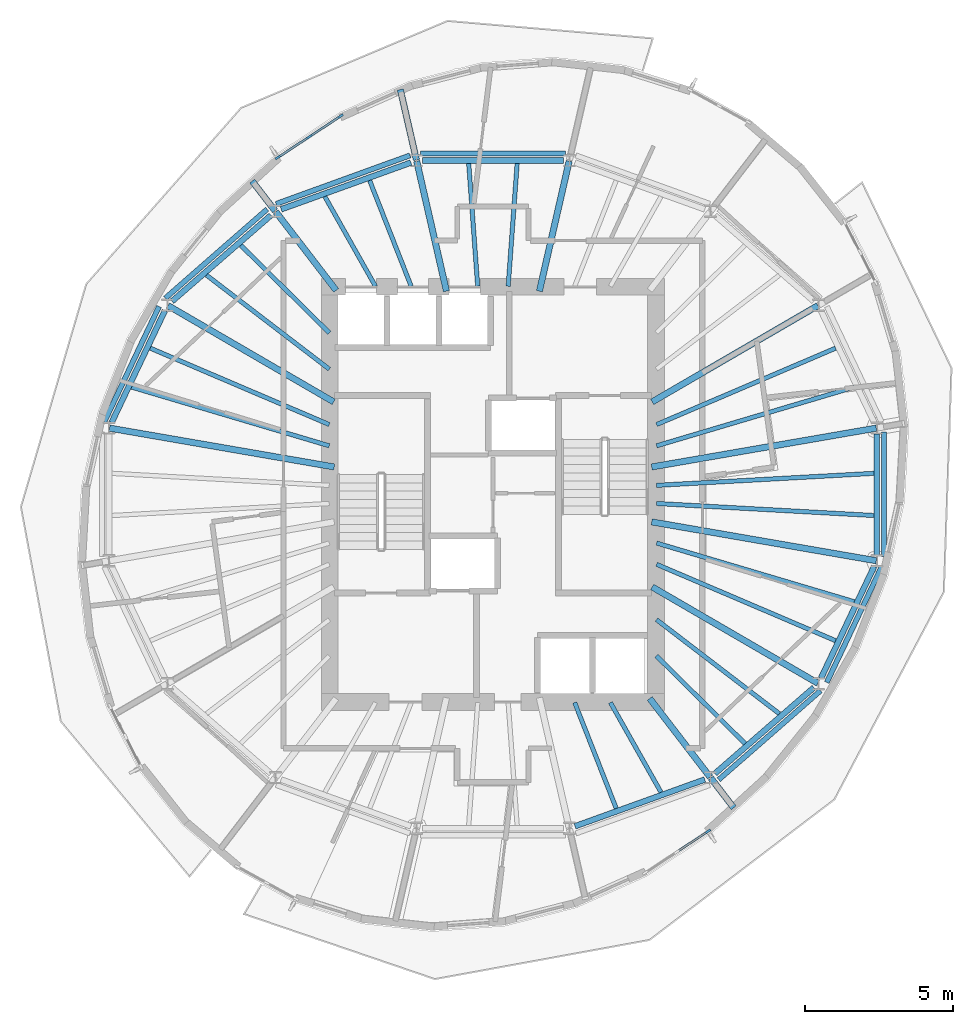
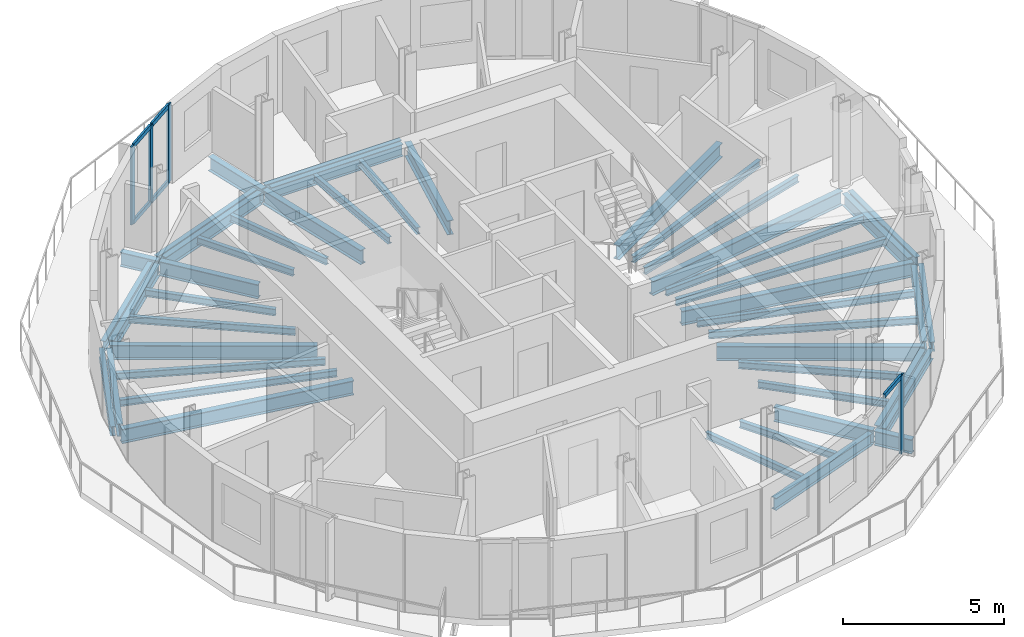
# One storey, part 2 of 11: 46 beams, 9 members, 2 elements without a shape of their own.
"""IFC4 building model written with IfcOpenShell, lengths in metres."""

from ifc_helpers import new_model, si_unit, direction, frame, origin, origin_2d, place, context, subcontext, project, spatial, rectangle, i_section, extrude, material, material_profile, profile_set, type_object, element, aggregate, save


model = new_model("IFC4")

# Units and contexts
model_context = context("Model", 3, precision=1e-05, world=origin(), true_north=direction((0.0, 1.0)))
body_context = subcontext(model_context, "Body", "Model", "MODEL_VIEW")
ifc_project = project(units=[si_unit("LENGTHUNIT", "METRE"), si_unit("AREAUNIT", "SQUARE_METRE"), si_unit("VOLUMEUNIT", "CUBIC_METRE"), si_unit("PLANEANGLEUNIT", "RADIAN"), si_unit("MASSUNIT", "GRAM", prefix="KILO")], contexts=[model_context])

# Site, building, storey
site_placement = place(None, origin())
site = spatial("IfcSite", under=ifc_project, at=site_placement, CompositionType="ELEMENT")
building_placement = place(site_placement, origin())
building = spatial("IfcBuilding", under=site, at=building_placement, Name="Veldorim Arch Residences", CompositionType="ELEMENT")
storey_placement = place(building_placement, frame((0.0, 0.0, 223.840087890625)))
storey = spatial("IfcBuildingStorey", under=building, at=storey_placement, Name="L67", CompositionType="ELEMENT", Elevation=223.840087890625)

# Beams
ifc_material_1 = material(Name="Steel S355", Category="steel")
ifc_material_profile_1 = material_profile(ifc_material_1, i_section(OverallWidth=0.2119140625, OverallDepth=0.54443359375, WebThickness=0.0126953125, FlangeThickness=0.021240234375, at=origin_2d()), Name="UB533x210x122")
ifc_profile_set_1 = profile_set([ifc_material_profile_1], Name="Steel S355")
beam_type_1 = type_object("IfcBeamType", Name="Structural Steel Beam UB533x210x122", PredefinedType="BEAM", material=ifc_profile_set_1)
beam_1_placement = place(storey_placement, frame((37.352294921875, 24.92578125, -0.512451171875), z_axis=(0.985364974081, 0.170457818401, 0.0), x_axis=(-0.170457818401, 0.985364974081, 0.0)))
element("IfcBeam", 1, at=beam_1_placement, inside=storey, type_object=beam_type_1, Name="L67 radial floor girder 01", PredefinedType="BEAM", context=body_context, shape_type="SweptSolid", body=[
    extrude(i_section(OverallWidth=0.2119140625, OverallDepth=0.54443359375, WebThickness=0.0126953125, FlangeThickness=0.021240234375, at=origin_2d()), origin(), (0.0, 0.0, 1.0), 7.68701171875),
])
beam_2_placement = place(storey_placement, frame((37.370361328125, 27.12060546875, -0.512451171875), z_axis=(0.864595736304, 0.502468121142, 0.0), x_axis=(-0.502468121142, 0.864595736304, 0.0)))
element("IfcBeam", 2, at=beam_2_placement, inside=storey, type_object=beam_type_1, Name="L67 radial floor girder 02", PredefinedType="BEAM", context=body_context, shape_type="SweptSolid", body=[
    extrude(i_section(OverallWidth=0.2119140625, OverallDepth=0.54443359375, WebThickness=0.0126953125, FlangeThickness=0.021240234375, at=origin_2d()), origin(), (0.0, 0.0, 1.0), 6.462646484375),
])
for number, where, z_axis, x_axis, name in (
    (3, (33.567626953125, 30.853759765625, -0.512451171875), (0.222952976993, 0.97482920045, 0.0), (-0.97482920045, 0.222952976993, 0.0), "L67 radial floor girder 04"),
    (4, (30.432373046875, 30.853759765625, -0.512451171875), (-0.222952976993, 0.97482920045, 0.0), (-0.97482920045, -0.222952976993, 0.0), "L67 radial floor girder 05"),
):
    element("IfcBeam", number, at=place(storey_placement, frame(where, z_axis=z_axis, x_axis=x_axis)), inside=storey, type_object=beam_type_1, Name=name, PredefinedType="BEAM", context=body_context, shape_type="SweptSolid", body=[
        extrude(i_section(OverallWidth=0.2119140625, OverallDepth=0.54443359375, WebThickness=0.0126953125, FlangeThickness=0.021240234375, at=origin_2d()), origin(), (0.0, 0.0, 1.0), 4.49951171875),
    ])
beam_3_placement = place(storey_placement, frame((29.42041015625, 35.27880859375, -0.512451171875), z_axis=(-0.222985349642, 0.974821795943, 0.0), x_axis=(-0.974821795943, -0.222985349642, 0.0)))
element("IfcBeam", 5, at=beam_3_placement, inside=storey, type_object=beam_type_1, Name="L67 radial edge cantilever girder 05", PredefinedType="BEAM", context=body_context, shape_type="SweptSolid", body=[
    extrude(i_section(OverallWidth=0.2119140625, OverallDepth=0.54443359375, WebThickness=0.0126953125, FlangeThickness=0.021240234375, at=origin_2d()), origin(), (0.0, 0.0, 1.0), 2.43603515625),
])
beam_4_placement = place(storey_placement, frame((26.71337890625, 30.881103515625, -0.512451171875), z_axis=(-0.609258442308, 0.792971721108, 0.0), x_axis=(-0.792971721108, -0.609258442308, 0.0)))
element("IfcBeam", 6, at=beam_4_placement, inside=storey, type_object=beam_type_1, Name="L67 radial floor girder 06", PredefinedType="BEAM", context=body_context, shape_type="SweptSolid", body=[
    extrude(i_section(OverallWidth=0.2119140625, OverallDepth=0.54443359375, WebThickness=0.0126953125, FlangeThickness=0.021240234375, at=origin_2d()), origin(), (0.0, 0.0, 1.0), 3.339599609375),
])
beam_5_placement = place(storey_placement, frame((24.654296875, 33.561279296875, -0.512451171875), z_axis=(-0.609348059257, 0.792902858287, 0.0), x_axis=(-0.792902858287, -0.609348059257, 0.0)))
element("IfcBeam", 7, at=beam_5_placement, inside=storey, type_object=beam_type_1, Name="L67 radial edge cantilever girder 06", PredefinedType="BEAM", context=body_context, shape_type="SweptSolid", body=[
    extrude(i_section(OverallWidth=0.2119140625, OverallDepth=0.54443359375, WebThickness=0.0126953125, FlangeThickness=0.021240234375, at=origin_2d()), origin(), (0.0, 0.0, 1.0), 1.268798828125),
])
beam_6_placement = place(storey_placement, frame((26.629638671875, 27.12060546875, -0.512451171875), z_axis=(-0.864595736304, 0.502468121142, 0.0), x_axis=(-0.502468121142, -0.864595736304, 0.0)))
element("IfcBeam", 8, at=beam_6_placement, inside=storey, type_object=beam_type_1, Name="L67 radial floor girder 07", PredefinedType="BEAM", context=body_context, shape_type="SweptSolid", body=[
    extrude(i_section(OverallWidth=0.2119140625, OverallDepth=0.54443359375, WebThickness=0.0126953125, FlangeThickness=0.021240234375, at=origin_2d()), origin(), (0.0, 0.0, 1.0), 6.462646484375),
])
beam_7_placement = place(storey_placement, frame((26.647705078125, 24.92578125, -0.512451171875), z_axis=(-0.985364974081, 0.170457818401, 0.0), x_axis=(-0.170457818401, -0.985364974081, 0.0)))
element("IfcBeam", 9, at=beam_7_placement, inside=storey, type_object=beam_type_1, Name="L67 radial floor girder 08", PredefinedType="BEAM", context=body_context, shape_type="SweptSolid", body=[
    extrude(i_section(OverallWidth=0.2119140625, OverallDepth=0.54443359375, WebThickness=0.0126953125, FlangeThickness=0.021240234375, at=origin_2d()), origin(), (0.0, 0.0, 1.0), 7.68701171875),
])
beam_8_placement = place(storey_placement, frame((37.28662109375, 17.118896484375, -0.512451171875), z_axis=(0.609258442308, -0.792971721108, 0.0), x_axis=(0.792971721108, 0.609258442308, 0.0)))
element("IfcBeam", 10, at=beam_8_placement, inside=storey, type_object=beam_type_1, Name="L67 radial floor girder 14", PredefinedType="BEAM", context=body_context, shape_type="SweptSolid", body=[
    extrude(i_section(OverallWidth=0.2119140625, OverallDepth=0.54443359375, WebThickness=0.0126953125, FlangeThickness=0.021240234375, at=origin_2d()), origin(), (0.0, 0.0, 1.0), 3.339599609375),
])
beam_9_placement = place(storey_placement, frame((39.345703125, 14.438720703125, -0.512451171875), z_axis=(0.609348059257, -0.792902858287, 0.0), x_axis=(0.792902858287, 0.609348059257, 0.0)))
element("IfcBeam", 11, at=beam_9_placement, inside=storey, type_object=beam_type_1, Name="L67 radial edge cantilever girder 14", PredefinedType="BEAM", context=body_context, shape_type="SweptSolid", body=[
    extrude(i_section(OverallWidth=0.2119140625, OverallDepth=0.54443359375, WebThickness=0.0126953125, FlangeThickness=0.021240234375, at=origin_2d()), origin(), (0.0, 0.0, 1.0), 1.268798828125),
])
beam_10_placement = place(storey_placement, frame((37.370361328125, 20.87939453125, -0.512451171875), z_axis=(0.864595736304, -0.502468121142, 0.0), x_axis=(0.502468121142, 0.864595736304, 0.0)))
element("IfcBeam", 12, at=beam_10_placement, inside=storey, type_object=beam_type_1, Name="L67 radial floor girder 15", PredefinedType="BEAM", context=body_context, shape_type="SweptSolid", body=[
    extrude(i_section(OverallWidth=0.2119140625, OverallDepth=0.54443359375, WebThickness=0.0126953125, FlangeThickness=0.021240234375, at=origin_2d()), origin(), (0.0, 0.0, 1.0), 6.462646484375),
])
beam_11_placement = place(storey_placement, frame((37.352294921875, 23.07421875, -0.512451171875), z_axis=(0.985364974081, -0.170457818401, 0.0), x_axis=(0.170457818401, 0.985364974081, 0.0)))
element("IfcBeam", 13, at=beam_11_placement, inside=storey, type_object=beam_type_1, Name="L67 radial floor girder 16", PredefinedType="BEAM", context=body_context, shape_type="SweptSolid", body=[
    extrude(i_section(OverallWidth=0.2119140625, OverallDepth=0.54443359375, WebThickness=0.0126953125, FlangeThickness=0.021240234375, at=origin_2d()), origin(), (0.0, 0.0, 1.0), 7.68701171875),
])
ifc_material_2 = material(Name="Steel S355", Category="steel")
ifc_material_profile_2 = material_profile(ifc_material_2, i_section(OverallWidth=0.146484375, OverallDepth=0.256103515625, WebThickness=0.00634765625, FlangeThickness=0.010986328125, at=origin_2d()), Name="UB254x146x37")
ifc_profile_set_2 = profile_set([ifc_material_profile_2], Name="Steel S355")
beam_type_2 = type_object("IfcBeamType", Name="Structural Steel Joist UB254x146x37", PredefinedType="JOIST", material=ifc_profile_set_2)
beam_12_placement = place(storey_placement, frame((37.519287109375, 25.639404296875, -0.3681640625), z_axis=(0.958594432792, 0.284774846889, 0.0), x_axis=(-0.284774846889, 0.958594432792, 0.0)))
element("IfcBeam", 14, at=beam_12_placement, inside=storey, type_object=beam_type_2, Name="L67 secondary radial floor joist 01-1", PredefinedType="JOIST", context=body_context, shape_type="SweptSolid", body=[
    extrude(i_section(OverallWidth=0.146484375, OverallDepth=0.256103515625, WebThickness=0.00634765625, FlangeThickness=0.010986328125, at=origin_2d()), origin(), (0.0, 0.0, 1.0), 6.949462890625),
])
beam_13_placement = place(storey_placement, frame((37.518310546875, 26.355712890625, -0.3681640625), z_axis=(0.919725161652, 0.392562895629, 0.0), x_axis=(-0.392562895629, 0.919725161652, 0.0)))
element("IfcBeam", 15, at=beam_13_placement, inside=storey, type_object=beam_type_2, Name="L67 secondary radial floor joist 01-2", PredefinedType="JOIST", context=body_context, shape_type="SweptSolid", body=[
    extrude(i_section(OverallWidth=0.146484375, OverallDepth=0.256103515625, WebThickness=0.00634765625, FlangeThickness=0.010986328125, at=origin_2d()), origin(), (0.0, 0.0, 1.0), 6.5625),
])
for number, where, z_axis, x_axis, name in (
    (16, (32.513916015625, 31.02001953125, -0.3681640625), (0.072985625899, 0.997332992742, 0.0), (-0.997332992742, 0.072985625899, 0.0), "L67 secondary radial floor joist 04-1"),
    (17, (31.486083984375, 31.02001953125, -0.3681640625), (-0.072985625899, 0.997332992742, 0.0), (-0.997332992742, -0.072985625899, 0.0), "L67 secondary radial floor joist 04-2"),
):
    element("IfcBeam", number, at=place(storey_placement, frame(where, z_axis=z_axis, x_axis=x_axis)), inside=storey, type_object=beam_type_2, Name=name, PredefinedType="JOIST", context=body_context, shape_type="SweptSolid", body=[
        extrude(i_section(OverallWidth=0.146484375, OverallDepth=0.256103515625, WebThickness=0.00634765625, FlangeThickness=0.010986328125, at=origin_2d()), origin(), (0.0, 0.0, 1.0), 4.151123046875),
    ])
beam_14_placement = place(storey_placement, frame((29.24365234375, 31.0185546875, -0.3681640625), z_axis=(-0.365581383042, 0.930779379001, 0.0), x_axis=(-0.930779379001, -0.365581383042, 0.0)))
element("IfcBeam", 18, at=beam_14_placement, inside=storey, type_object=beam_type_2, Name="L67 secondary radial floor joist 05-1", PredefinedType="JOIST", context=body_context, shape_type="SweptSolid", body=[
    extrude(i_section(OverallWidth=0.146484375, OverallDepth=0.256103515625, WebThickness=0.00634765625, FlangeThickness=0.010986328125, at=origin_2d()), origin(), (0.0, 0.0, 1.0), 3.83056640625),
])
beam_15_placement = place(storey_placement, frame((28.039794921875, 31.017333984375, -0.3681640625), z_axis=(-0.491452469585, 0.870904397818, 0.0), x_axis=(-0.870904397818, -0.491452469585, 0.0)))
element("IfcBeam", 19, at=beam_15_placement, inside=storey, type_object=beam_type_2, Name="L67 secondary radial floor joist 05-2", PredefinedType="JOIST", context=body_context, shape_type="SweptSolid", body=[
    extrude(i_section(OverallWidth=0.146484375, OverallDepth=0.256103515625, WebThickness=0.00634765625, FlangeThickness=0.010986328125, at=origin_2d()), origin(), (0.0, 0.0, 1.0), 3.472412109375),
])
beam_16_placement = place(storey_placement, frame((26.48583984375, 29.44775390625, -0.3681640625), z_axis=(-0.711396725432, 0.702790650937, 0.0), x_axis=(-0.702790650937, -0.711396725432, 0.0)))
element("IfcBeam", 20, at=beam_16_placement, inside=storey, type_object=beam_type_2, Name="L67 secondary radial floor joist 06-1", PredefinedType="JOIST", context=body_context, shape_type="SweptSolid", body=[
    extrude(i_section(OverallWidth=0.146484375, OverallDepth=0.256103515625, WebThickness=0.00634765625, FlangeThickness=0.010986328125, at=origin_2d()), origin(), (0.0, 0.0, 1.0), 4.198486328125),
])
beam_17_placement = place(storey_placement, frame((26.484130859375, 28.222900390625, -0.3681640625), z_axis=(-0.794013672216, 0.607899899929, 0.0), x_axis=(-0.607899899929, -0.794013672216, 0.0)))
element("IfcBeam", 21, at=beam_17_placement, inside=storey, type_object=beam_type_2, Name="L67 secondary radial floor joist 06-2", PredefinedType="JOIST", context=body_context, shape_type="SweptSolid", body=[
    extrude(i_section(OverallWidth=0.146484375, OverallDepth=0.256103515625, WebThickness=0.00634765625, FlangeThickness=0.010986328125, at=origin_2d()), origin(), (0.0, 0.0, 1.0), 5.217041015625),
])
beam_18_placement = place(storey_placement, frame((26.481689453125, 26.355712890625, -0.3681640625), z_axis=(-0.919725161652, 0.392562895629, 0.0), x_axis=(-0.392562895629, -0.919725161652, 0.0)))
element("IfcBeam", 22, at=beam_18_placement, inside=storey, type_object=beam_type_2, Name="L67 secondary radial floor joist 07-1", PredefinedType="JOIST", context=body_context, shape_type="SweptSolid", body=[
    extrude(i_section(OverallWidth=0.146484375, OverallDepth=0.256103515625, WebThickness=0.00634765625, FlangeThickness=0.010986328125, at=origin_2d()), origin(), (0.0, 0.0, 1.0), 6.5625),
])
beam_19_placement = place(storey_placement, frame((26.480712890625, 25.639404296875, -0.3681640625), z_axis=(-0.958594432792, 0.284774846889, 0.0), x_axis=(-0.284774846889, -0.958594432792, 0.0)))
element("IfcBeam", 23, at=beam_19_placement, inside=storey, type_object=beam_type_2, Name="L67 secondary radial floor joist 07-2", PredefinedType="JOIST", context=body_context, shape_type="SweptSolid", body=[
    extrude(i_section(OverallWidth=0.146484375, OverallDepth=0.256103515625, WebThickness=0.00634765625, FlangeThickness=0.010986328125, at=origin_2d()), origin(), (0.0, 0.0, 1.0), 6.949462890625),
])
beam_20_placement = place(storey_placement, frame((34.75634765625, 16.9814453125, -0.3681640625), z_axis=(0.365581383042, -0.930779379001, 0.0), x_axis=(0.930779379001, 0.365581383042, 0.0)))
element("IfcBeam", 24, at=beam_20_placement, inside=storey, type_object=beam_type_2, Name="L67 secondary radial floor joist 13-1", PredefinedType="JOIST", context=body_context, shape_type="SweptSolid", body=[
    extrude(i_section(OverallWidth=0.146484375, OverallDepth=0.256103515625, WebThickness=0.00634765625, FlangeThickness=0.010986328125, at=origin_2d()), origin(), (0.0, 0.0, 1.0), 3.83056640625),
])
beam_21_placement = place(storey_placement, frame((35.960205078125, 16.982666015625, -0.3681640625), z_axis=(0.491452469585, -0.870904397818, 0.0), x_axis=(0.870904397818, 0.491452469585, 0.0)))
element("IfcBeam", 25, at=beam_21_placement, inside=storey, type_object=beam_type_2, Name="L67 secondary radial floor joist 13-2", PredefinedType="JOIST", context=body_context, shape_type="SweptSolid", body=[
    extrude(i_section(OverallWidth=0.146484375, OverallDepth=0.256103515625, WebThickness=0.00634765625, FlangeThickness=0.010986328125, at=origin_2d()), origin(), (0.0, 0.0, 1.0), 3.472412109375),
])
beam_22_placement = place(storey_placement, frame((37.51416015625, 18.55224609375, -0.3681640625), z_axis=(0.711396725432, -0.702790650937, 0.0), x_axis=(0.702790650937, 0.711396725432, 0.0)))
element("IfcBeam", 26, at=beam_22_placement, inside=storey, type_object=beam_type_2, Name="L67 secondary radial floor joist 14-1", PredefinedType="JOIST", context=body_context, shape_type="SweptSolid", body=[
    extrude(i_section(OverallWidth=0.146484375, OverallDepth=0.256103515625, WebThickness=0.00634765625, FlangeThickness=0.010986328125, at=origin_2d()), origin(), (0.0, 0.0, 1.0), 4.198486328125),
])
beam_23_placement = place(storey_placement, frame((37.515869140625, 19.777099609375, -0.3681640625), z_axis=(0.794013672216, -0.607899899929, 0.0), x_axis=(0.607899899929, 0.794013672216, 0.0)))
element("IfcBeam", 27, at=beam_23_placement, inside=storey, type_object=beam_type_2, Name="L67 secondary radial floor joist 14-2", PredefinedType="JOIST", context=body_context, shape_type="SweptSolid", body=[
    extrude(i_section(OverallWidth=0.146484375, OverallDepth=0.256103515625, WebThickness=0.00634765625, FlangeThickness=0.010986328125, at=origin_2d()), origin(), (0.0, 0.0, 1.0), 5.217041015625),
])
beam_24_placement = place(storey_placement, frame((37.518310546875, 21.644287109375, -0.3681640625), z_axis=(0.919725161652, -0.392562895629, 0.0), x_axis=(0.392562895629, 0.919725161652, 0.0)))
element("IfcBeam", 28, at=beam_24_placement, inside=storey, type_object=beam_type_2, Name="L67 secondary radial floor joist 15-1", PredefinedType="JOIST", context=body_context, shape_type="SweptSolid", body=[
    extrude(i_section(OverallWidth=0.146484375, OverallDepth=0.256103515625, WebThickness=0.00634765625, FlangeThickness=0.010986328125, at=origin_2d()), origin(), (0.0, 0.0, 1.0), 6.5625),
])
beam_25_placement = place(storey_placement, frame((37.519287109375, 22.360595703125, -0.3681640625), z_axis=(0.958594432792, -0.284774846889, 0.0), x_axis=(0.284774846889, 0.958594432792, 0.0)))
element("IfcBeam", 29, at=beam_25_placement, inside=storey, type_object=beam_type_2, Name="L67 secondary radial floor joist 15-2", PredefinedType="JOIST", context=body_context, shape_type="SweptSolid", body=[
    extrude(i_section(OverallWidth=0.146484375, OverallDepth=0.256103515625, WebThickness=0.00634765625, FlangeThickness=0.010986328125, at=origin_2d()), origin(), (0.0, 0.0, 1.0), 6.949462890625),
])
for number, where, z_axis, x_axis, name in (
    (30, (37.52001953125, 23.6943359375, -0.3681640625), (0.998472000884, -0.055259962464, 0.0), (0.055259962464, 0.998472000884, 0.0), "L67 secondary radial floor joist 16-1"),
    (31, (37.52001953125, 24.3056640625, -0.3681640625), (0.998472000884, 0.055259962464, 0.0), (-0.055259962464, 0.998472000884, 0.0), "L67 secondary radial floor joist 16-2"),
):
    element("IfcBeam", number, at=place(storey_placement, frame(where, z_axis=z_axis, x_axis=x_axis)), inside=storey, type_object=beam_type_2, Name=name, PredefinedType="JOIST", context=body_context, shape_type="SweptSolid", body=[
        extrude(i_section(OverallWidth=0.146484375, OverallDepth=0.256103515625, WebThickness=0.00634765625, FlangeThickness=0.010986328125, at=origin_2d()), origin(), (0.0, 0.0, 1.0), 7.33837890625),
    ])
ifc_material_3 = material(Name="Steel S355", Category="steel")
ifc_material_profile_3 = material_profile(ifc_material_3, i_section(OverallWidth=0.172119140625, OverallDepth=0.35791015625, WebThickness=0.008056640625, FlangeThickness=0.012939453125, at=origin_2d()), Name="UB356x171x57")
ifc_profile_set_3 = profile_set([ifc_material_profile_3], Name="Steel S355")
beam_type_3 = type_object("IfcBeamType", Name="Structural Steel Spandrel UB356x171x57", PredefinedType="SPANDREL", material=ifc_profile_set_3)
beam_26_placement = place(storey_placement, frame((34.44970703125, 35.493408203125, -0.439208984375), z_axis=(-1.0, 0.0, 0.0), x_axis=(0.0, -1.0, 0.0)))
element("IfcBeam", 32, at=beam_26_placement, inside=storey, type_object=beam_type_3, Name="L67 perimeter chord spandrel beam 04", PredefinedType="SPANDREL", context=body_context, shape_type="SweptSolid", body=[
    extrude(i_section(OverallWidth=0.172119140625, OverallDepth=0.35791015625, WebThickness=0.008056640625, FlangeThickness=0.012939453125, at=origin_2d()), origin(), (0.0, 0.0, 1.0), 4.8994140625),
])
beam_27_placement = place(storey_placement, frame((29.202880859375, 35.432373046875, -0.439208984375), z_axis=(-0.940178823137, -0.340681347486, 0.0), x_axis=(0.340681347486, -0.940178823137, 0.0)))
element("IfcBeam", 33, at=beam_27_placement, inside=storey, type_object=beam_type_3, Name="L67 perimeter chord spandrel beam 05", PredefinedType="SPANDREL", context=body_context, shape_type="SweptSolid", body=[
    extrude(i_section(OverallWidth=0.172119140625, OverallDepth=0.35791015625, WebThickness=0.008056640625, FlangeThickness=0.012939453125, at=origin_2d()), origin(), (0.0, 0.0, 1.0), 4.80126953125),
])
beam_28_placement = place(storey_placement, frame((24.385498046875, 33.617919921875, -0.439208984375), z_axis=(-0.752868439096, -0.658171036596, 0.0), x_axis=(0.658171036596, -0.752868439096, 0.0)))
element("IfcBeam", 34, at=beam_28_placement, inside=storey, type_object=beam_type_3, Name="L67 perimeter chord spandrel beam 06", PredefinedType="SPANDREL", context=body_context, shape_type="SweptSolid", body=[
    extrude(i_section(OverallWidth=0.172119140625, OverallDepth=0.35791015625, WebThickness=0.008056640625, FlangeThickness=0.012939453125, at=origin_2d()), origin(), (0.0, 0.0, 1.0), 4.560791015625),
])
beam_29_placement = place(storey_placement, frame((20.740478515625, 30.336669921875, -0.439208984375), z_axis=(-0.428468601304, -0.903556670994, 0.0), x_axis=(0.903556670994, -0.428468601304, 0.0)))
element("IfcBeam", 35, at=beam_29_placement, inside=storey, type_object=beam_type_3, Name="L67 perimeter chord spandrel beam 07", PredefinedType="SPANDREL", context=body_context, shape_type="SweptSolid", body=[
    extrude(i_section(OverallWidth=0.172119140625, OverallDepth=0.35791015625, WebThickness=0.008056640625, FlangeThickness=0.012939453125, at=origin_2d()), origin(), (0.0, 0.0, 1.0), 4.31005859375),
])
beam_30_placement = place(storey_placement, frame((39.614501953125, 14.382080078125, -0.439208984375), z_axis=(0.752868439096, 0.658171036596, 0.0), x_axis=(-0.658171036596, 0.752868439096, 0.0)))
element("IfcBeam", 36, at=beam_30_placement, inside=storey, type_object=beam_type_3, Name="L67 perimeter chord spandrel beam 14", PredefinedType="SPANDREL", context=body_context, shape_type="SweptSolid", body=[
    extrude(i_section(OverallWidth=0.172119140625, OverallDepth=0.35791015625, WebThickness=0.008056640625, FlangeThickness=0.012939453125, at=origin_2d()), origin(), (0.0, 0.0, 1.0), 4.560791015625),
])
beam_31_placement = place(storey_placement, frame((43.259521484375, 17.663330078125, -0.439208984375), z_axis=(0.428468601304, 0.903556670994, 0.0), x_axis=(-0.903556670994, 0.428468601304, 0.0)))
element("IfcBeam", 37, at=beam_31_placement, inside=storey, type_object=beam_type_3, Name="L67 perimeter chord spandrel beam 15", PredefinedType="SPANDREL", context=body_context, shape_type="SweptSolid", body=[
    extrude(i_section(OverallWidth=0.172119140625, OverallDepth=0.35791015625, WebThickness=0.008056640625, FlangeThickness=0.012939453125, at=origin_2d()), origin(), (0.0, 0.0, 1.0), 4.31005859375),
])
beam_32_placement = place(storey_placement, frame((45.182861328125, 21.898681640625, -0.439208984375), z_axis=(0.0, 1.0, 0.0), x_axis=(-1.0, 0.0, 0.0)))
element("IfcBeam", 38, at=beam_32_placement, inside=storey, type_object=beam_type_3, Name="L67 perimeter chord spandrel beam 16", PredefinedType="SPANDREL", context=body_context, shape_type="SweptSolid", body=[
    extrude(i_section(OverallWidth=0.172119140625, OverallDepth=0.35791015625, WebThickness=0.008056640625, FlangeThickness=0.012939453125, at=origin_2d()), origin(), (0.0, 0.0, 1.0), 4.20263671875),
])
ifc_material_4 = material(Name="Steel S355", Category="steel")
ifc_material_profile_4 = material_profile(ifc_material_4, i_section(OverallWidth=0.19140625, OverallDepth=0.4599609375, WebThickness=0.010009765625, FlangeThickness=0.01611328125, at=origin_2d()), Name="UB457x191x82")
ifc_profile_set_4 = profile_set([ifc_material_profile_4], Name="Steel S355")
beam_type_4 = type_object("IfcBeamType", Name="Structural Steel Spandrel UB457x191x82", PredefinedType="SPANDREL", material=ifc_profile_set_4)
beam_33_placement = place(storey_placement, frame((34.37158203125, 35.259521484375, -0.469970703125), z_axis=(-1.0, 0.0, 0.0), x_axis=(0.0, -1.0, 0.0)))
element("IfcBeam", 39, at=beam_33_placement, inside=storey, type_object=beam_type_4, Name="L67 perimeter ring tie beam 04", PredefinedType="SPANDREL", context=body_context, shape_type="SweptSolid", body=[
    extrude(i_section(OverallWidth=0.19140625, OverallDepth=0.4599609375, WebThickness=0.010009765625, FlangeThickness=0.01611328125, at=origin_2d()), origin(), (0.0, 0.0, 1.0), 4.7431640625),
])
beam_34_placement = place(storey_placement, frame((29.2333984375, 35.1904296875, -0.469970703125), z_axis=(-0.940819134121, -0.338909068736, 0.0), x_axis=(0.338909068736, -0.940819134121, 0.0)))
element("IfcBeam", 40, at=beam_34_placement, inside=storey, type_object=beam_type_4, Name="L67 perimeter ring tie beam 05", PredefinedType="SPANDREL", context=body_context, shape_type="SweptSolid", body=[
    extrude(i_section(OverallWidth=0.19140625, OverallDepth=0.4599609375, WebThickness=0.010009765625, FlangeThickness=0.01611328125, at=origin_2d()), origin(), (0.0, 0.0, 1.0), 4.650634765625),
])
beam_35_placement = place(storey_placement, frame((24.512939453125, 33.411865234375, -0.469970703125), z_axis=(-0.754534162517, -0.656260769508, 0.0), x_axis=(0.656260769508, -0.754534162517, 0.0)))
element("IfcBeam", 41, at=beam_35_placement, inside=storey, type_object=beam_type_4, Name="L67 perimeter ring tie beam 06", PredefinedType="SPANDREL", context=body_context, shape_type="SweptSolid", body=[
    extrude(i_section(OverallWidth=0.19140625, OverallDepth=0.4599609375, WebThickness=0.010009765625, FlangeThickness=0.01611328125, at=origin_2d()), origin(), (0.0, 0.0, 1.0), 4.419677734375),
])
beam_36_placement = place(storey_placement, frame((20.93701171875, 30.194091796875, -0.469970703125), z_axis=(-0.429992574394, -0.902832424078, 0.0), x_axis=(0.902832424078, -0.429992574394, 0.0)))
element("IfcBeam", 42, at=beam_36_placement, inside=storey, type_object=beam_type_4, Name="L67 perimeter ring tie beam 07", PredefinedType="SPANDREL", context=body_context, shape_type="SweptSolid", body=[
    extrude(i_section(OverallWidth=0.19140625, OverallDepth=0.4599609375, WebThickness=0.010009765625, FlangeThickness=0.01611328125, at=origin_2d()), origin(), (0.0, 0.0, 1.0), 4.176513671875),
])
beam_37_placement = place(storey_placement, frame((34.7666015625, 12.8095703125, -0.469970703125), z_axis=(0.940819134121, 0.338909068736, 0.0), x_axis=(-0.338909068736, 0.940819134121, 0.0)))
element("IfcBeam", 43, at=beam_37_placement, inside=storey, type_object=beam_type_4, Name="L67 perimeter ring tie beam 13", PredefinedType="SPANDREL", context=body_context, shape_type="SweptSolid", body=[
    extrude(i_section(OverallWidth=0.19140625, OverallDepth=0.4599609375, WebThickness=0.010009765625, FlangeThickness=0.01611328125, at=origin_2d()), origin(), (0.0, 0.0, 1.0), 4.650634765625),
])
beam_38_placement = place(storey_placement, frame((39.487060546875, 14.588134765625, -0.469970703125), z_axis=(0.754534162517, 0.656260769508, 0.0), x_axis=(-0.656260769508, 0.754534162517, 0.0)))
element("IfcBeam", 44, at=beam_38_placement, inside=storey, type_object=beam_type_4, Name="L67 perimeter ring tie beam 14", PredefinedType="SPANDREL", context=body_context, shape_type="SweptSolid", body=[
    extrude(i_section(OverallWidth=0.19140625, OverallDepth=0.4599609375, WebThickness=0.010009765625, FlangeThickness=0.01611328125, at=origin_2d()), origin(), (0.0, 0.0, 1.0), 4.419677734375),
])
beam_39_placement = place(storey_placement, frame((43.06298828125, 17.805908203125, -0.469970703125), z_axis=(0.429992574394, 0.902832424078, 0.0), x_axis=(-0.902832424078, 0.429992574394, 0.0)))
element("IfcBeam", 45, at=beam_39_placement, inside=storey, type_object=beam_type_4, Name="L67 perimeter ring tie beam 15", PredefinedType="SPANDREL", context=body_context, shape_type="SweptSolid", body=[
    extrude(i_section(OverallWidth=0.19140625, OverallDepth=0.4599609375, WebThickness=0.010009765625, FlangeThickness=0.01611328125, at=origin_2d()), origin(), (0.0, 0.0, 1.0), 4.176513671875),
])
beam_40_placement = place(storey_placement, frame((44.9462890625, 21.9638671875, -0.469970703125), z_axis=(0.0, 1.0, 0.0), x_axis=(-1.0, 0.0, 0.0)))
element("IfcBeam", 46, at=beam_40_placement, inside=storey, type_object=beam_type_4, Name="L67 perimeter ring tie beam 16", PredefinedType="SPANDREL", context=body_context, shape_type="SweptSolid", body=[
    extrude(i_section(OverallWidth=0.19140625, OverallDepth=0.4599609375, WebThickness=0.010009765625, FlangeThickness=0.01611328125, at=origin_2d()), origin(), (0.0, 0.0, 1.0), 4.072265625),
])

# Curtain wall, members
ifc_material_5 = material(Name="Aluminium", Category="aluminium")
curtain_wall_type = type_object("IfcCurtainWallType", Name="Zone 4 High-Altitude Unitised Curtain Wall", PredefinedType="NOTDEFINED", material=ifc_material_5)
curtain_wall_1_placement = place(storey_placement, origin())
curtain_wall_1 = element("IfcCurtainWall", 47, at=curtain_wall_1_placement, inside=storey, type_object=curtain_wall_type, Name="L67 unitised curtain wall bay 07", PredefinedType="NOTDEFINED")
ifc_material_6 = material(Name="Aluminium", Category="aluminium")
ifc_material_profile_5 = material_profile(ifc_material_6, rectangle(XDim=0.074951171875, YDim=0.195068359375, at=origin_2d()), Name="ALU_MUL_75x195")
ifc_profile_set_5 = profile_set([ifc_material_profile_5], Name="Aluminium")
member_type_1 = type_object("IfcMemberType", Name="Zone 4 High-Altitude Unitised Curtain Wall Mullion 75x195", PredefinedType="MULLION", material=ifc_profile_set_5)
member_1_placement = place(storey_placement, frame((24.7451171875, 35.36083984375, 0.0), z_axis=(0.0, 0.0, 1.0), x_axis=(-0.550061569233, 0.835124104582, 0.0)))
member_1 = element("IfcMember", 48, at=member_1_placement, type_object=member_type_1, Name="CW-Z4 mullion 1", PredefinedType="MULLION", context=body_context, shape_type="SweptSolid", body=[
    extrude(rectangle(XDim=0.074951171875, YDim=0.195068359375, at=origin_2d()), origin(), (0.0, 0.0, 1.0), 2.9599609375),
])
member_2_placement = place(storey_placement, frame((25.804443359375, 36.05859375, 0.0), z_axis=(0.0, 0.0, 1.0), x_axis=(-0.550061569233, 0.835124104582, 0.0)))
member_2 = element("IfcMember", 49, at=member_2_placement, type_object=member_type_1, Name="CW-Z4 mullion 2", PredefinedType="MULLION", context=body_context, shape_type="SweptSolid", body=[
    extrude(rectangle(XDim=0.074951171875, YDim=0.195068359375, at=origin_2d()), origin(), (0.0, 0.0, 1.0), 2.9599609375),
])
member_3_placement = place(storey_placement, frame((26.86376953125, 36.756103515625, 0.0), z_axis=(0.0, 0.0, 1.0), x_axis=(-0.550061569233, 0.835124104582, 0.0)))
member_3 = element("IfcMember", 50, at=member_3_placement, type_object=member_type_1, Name="CW-Z4 mullion 3", PredefinedType="MULLION", context=body_context, shape_type="SweptSolid", body=[
    extrude(rectangle(XDim=0.074951171875, YDim=0.195068359375, at=origin_2d()), origin(), (0.0, 0.0, 1.0), 2.9599609375),
])

# Curtain wall, member
curtain_wall_2_placement = place(storey_placement, origin())
curtain_wall_2 = element("IfcCurtainWall", 51, at=curtain_wall_2_placement, inside=storey, type_object=curtain_wall_type, Name="L67 unitised curtain wall bay 25", PredefinedType="NOTDEFINED")
member_4_placement = place(storey_placement, frame((39.2548828125, 12.63916015625, 0.0), z_axis=(0.0, 0.0, 1.0), x_axis=(0.550061569233, -0.835124104582, 0.0)))
member_4 = element("IfcMember", 52, at=member_4_placement, type_object=member_type_1, Name="CW-Z4 mullion 1", PredefinedType="MULLION", context=body_context, shape_type="SweptSolid", body=[
    extrude(rectangle(XDim=0.074951171875, YDim=0.195068359375, at=origin_2d()), origin(), (0.0, 0.0, 1.0), 2.9599609375),
])

# Member
ifc_material_7 = material(Name="Aluminium", Category="aluminium")
ifc_material_profile_6 = material_profile(ifc_material_7, rectangle(XDim=0.074951171875, YDim=0.1650390625, at=origin_2d()), Name="ALU_TRN_75x165")
ifc_profile_set_6 = profile_set([ifc_material_profile_6], Name="Aluminium")
member_type_2 = type_object("IfcMemberType", Name="Zone 4 High-Altitude Unitised Curtain Wall Transom 75x165", PredefinedType="USERDEFINED", material=ifc_profile_set_6)
member_5_placement = place(storey_placement, frame((24.776611328125, 35.38134765625, 0.037353515625), z_axis=(0.835090637281, 0.55011237718, 0.0), x_axis=(-0.55011237718, 0.835090637281, 0.0)))
member_5 = element("IfcMember", 53, at=member_5_placement, type_object=member_type_2, Name="CW-Z4 transom 1.1", ObjectType="TRANSOM", PredefinedType="USERDEFINED", context=body_context, shape_type="SweptSolid", body=[
    extrude(rectangle(XDim=0.074951171875, YDim=0.1650390625, at=origin_2d()), origin(), (0.0, 0.0, 1.0), 1.193359375),
])

member_6_placement = place(storey_placement, frame((24.776611328125, 35.38134765625, 2.92236328125), z_axis=(0.835090637281, 0.55011237718, 0.0), x_axis=(-0.55011237718, 0.835090637281, 0.0)))
member_6 = element("IfcMember", 54, at=member_6_placement, type_object=member_type_2, Name="CW-Z4 transom 1.2", ObjectType="TRANSOM", PredefinedType="USERDEFINED", context=body_context, shape_type="SweptSolid", body=[
    extrude(rectangle(XDim=0.074951171875, YDim=0.1650390625, at=origin_2d()), origin(), (0.0, 0.0, 1.0), 1.193359375),
])

member_7_placement = place(storey_placement, frame((25.835693359375, 36.0791015625, 0.037353515625), z_axis=(0.835090637281, 0.55011237718, 0.0), x_axis=(-0.55011237718, 0.835090637281, 0.0)))
member_7 = element("IfcMember", 55, at=member_7_placement, type_object=member_type_2, Name="CW-Z4 transom 2.1", ObjectType="TRANSOM", PredefinedType="USERDEFINED", context=body_context, shape_type="SweptSolid", body=[
    extrude(rectangle(XDim=0.074951171875, YDim=0.1650390625, at=origin_2d()), origin(), (0.0, 0.0, 1.0), 1.193359375),
])

member_8_placement = place(storey_placement, frame((25.835693359375, 36.0791015625, 2.92236328125), z_axis=(0.835090637281, 0.55011237718, 0.0), x_axis=(-0.55011237718, 0.835090637281, 0.0)))
member_8 = element("IfcMember", 56, at=member_8_placement, type_object=member_type_2, Name="CW-Z4 transom 2.2", ObjectType="TRANSOM", PredefinedType="USERDEFINED", context=body_context, shape_type="SweptSolid", body=[
    extrude(rectangle(XDim=0.074951171875, YDim=0.1650390625, at=origin_2d()), origin(), (0.0, 0.0, 1.0), 1.193359375),
])

aggregate(curtain_wall_1, [member_1, member_2, member_3, member_5, member_6, member_7, member_8])

member_9_placement = place(storey_placement, frame((39.223388671875, 12.61865234375, 2.92236328125), z_axis=(-0.835090637281, -0.55011237718, 0.0), x_axis=(0.55011237718, -0.835090637281, 0.0)))
member_9 = element("IfcMember", 57, at=member_9_placement, type_object=member_type_2, Name="CW-Z4 transom 1.2", ObjectType="TRANSOM", PredefinedType="USERDEFINED", context=body_context, shape_type="SweptSolid", body=[
    extrude(rectangle(XDim=0.074951171875, YDim=0.1650390625, at=origin_2d()), origin(), (0.0, 0.0, 1.0), 1.193359375),
])

aggregate(curtain_wall_2, [member_4, member_9])

save(model, "model.ifc")
